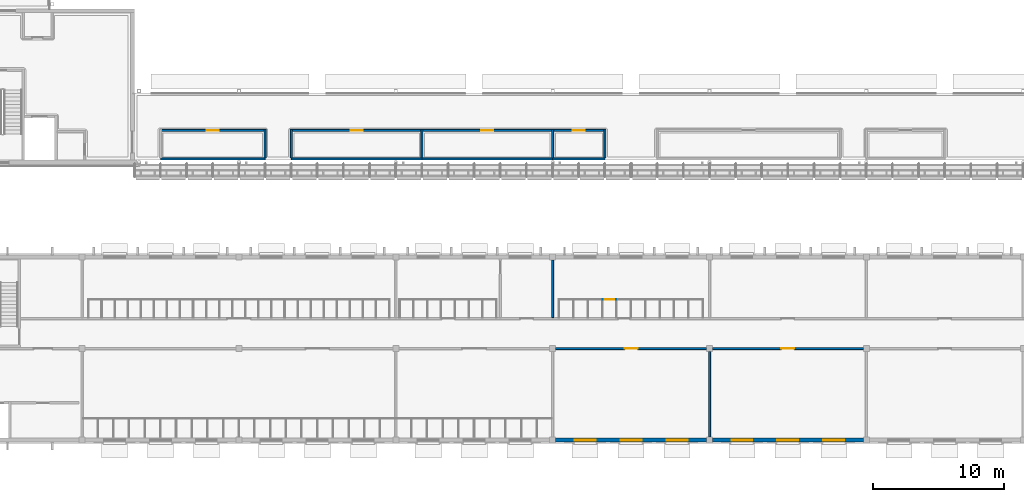
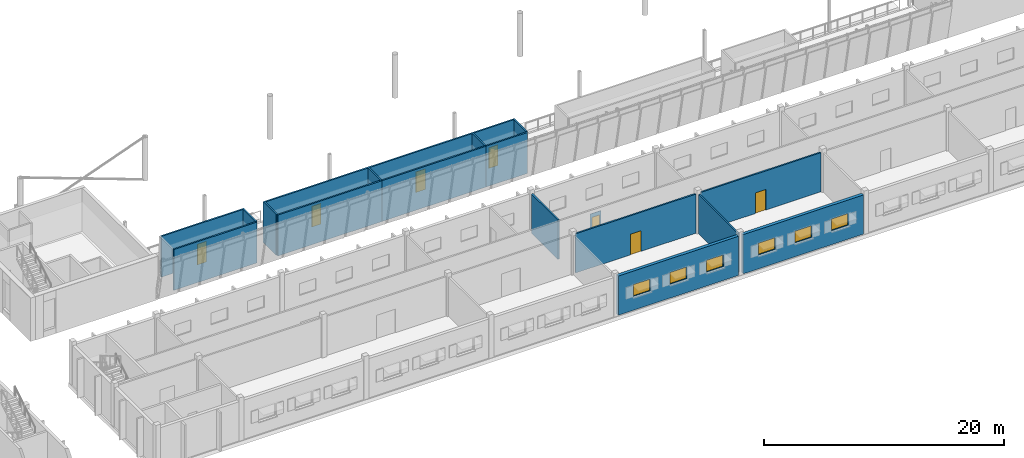
# One storey, part 66 of 115: 20 walls, 7 doors, 6 windows, 13 openings.
"""IFC4 building model written with IfcOpenShell, lengths in metres."""

from ifc_helpers import new_model, si_unit, direction, frame, frame_2d, origin, place, context, subcontext, project, spatial, rectangle, extrude, material, layer, layer_set, type_object, element, fill, save


model = new_model("IFC4")

# Units and contexts
model_context = context("Model", 3, precision=1e-05, world=origin(), true_north=direction((0.0, 1.0)))
body_context = subcontext(model_context, "Body", "Model", "MODEL_VIEW")
ifc_project = project(units=[si_unit("LENGTHUNIT", "METRE"), si_unit("AREAUNIT", "SQUARE_METRE"), si_unit("VOLUMEUNIT", "CUBIC_METRE"), si_unit("PLANEANGLEUNIT", "RADIAN"), si_unit("MASSUNIT", "GRAM", prefix="KILO")], contexts=[model_context])

# Site, building, storey
site_placement = place(None, origin())
site = spatial("IfcSite", under=ifc_project, at=site_placement, CompositionType="ELEMENT")
building_placement = place(site_placement, origin())
building = spatial("IfcBuilding", under=site, at=building_placement, Name="Windward Yard Aquatics Centre", CompositionType="ELEMENT")
storey_placement = place(building_placement, frame((0.0, 0.0, 5.0)))
storey = spatial("IfcBuildingStorey", under=building, at=storey_placement, Name="L01", CompositionType="ELEMENT", Elevation=5.0)

# Wall, opening, door
ifc_material_1 = material(Name="Concrete masonry unit plastered", Category="masonry")
ifc_layer_1 = layer(ifc_material_1, 0.14990234375)
ifc_layer_set_1 = layer_set([ifc_layer_1], Name="C block partition 150")
wall_type_1 = type_object("IfcWallType", Name="C block partition 150", PredefinedType="PARTITIONING", material=ifc_layer_set_1)
wall_1_placement = place(storey_placement, frame((96.22509765625, 12.0, 0.0), z_axis=(0.0, 0.0, 1.0), x_axis=(1.0, 0.0, 0.0)))
wall_1 = element("IfcWall", 1, at=wall_1_placement, inside=storey, type_object=wall_type_1, Name="C.W.L01.SP.S.5", PredefinedType="PARTITIONING", context=body_context, shape_type="SweptSolid", body=[
    extrude(rectangle(XDim=11.5498046875, YDim=0.14990234375, at=frame_2d((5.77490234375, 0.0))), origin(), (0.0, 0.0, 1.0), 3.97998046875),
])
opening_1_placement = place(wall_1_placement, frame((5.27490234375, 0.0, 0.0)))
opening_1 = element("IfcOpeningElement", 2, at=opening_1_placement, cuts=wall_1, Name="Opening C1004", PredefinedType="OPENING", context=body_context, shape_type="SweptSolid", body=[
    extrude(rectangle(XDim=1.0, YDim=2.10009765625, at=frame_2d((0.5, 1.050048828125))), frame((0.0, 0.0849609375, 0.0), z_axis=(0.0, -1.0, 0.0), x_axis=(1.0, 0.0, 0.0)), (0.0, 0.0, 1.0), 0.169921875),
])
ifc_material_2 = material(Name="Timber door leaf in steel frame", Category="steel")
door_type_1 = type_object("IfcDoorType", Name="C door 1000X2100 FD30S", OperationType="SINGLE_SWING_LEFT", PredefinedType="DOOR", material=ifc_material_2)
door_1_placement = place(opening_1_placement, origin())
door_1 = element("IfcDoor", 3, at=door_1_placement, inside=storey, type_object=door_type_1, Name="Door C1004", OperationType="SINGLE_SWING_LEFT", OverallHeight=2.10009765625, OverallWidth=1.0, PredefinedType="DOOR", context=body_context, shape_type="SweptSolid", body=[
    extrude(rectangle(XDim=1.0, YDim=2.10009765625, at=frame_2d((0.5, 1.050048828125))), frame((0.0, 0.02490234375, 0.0), z_axis=(0.0, -1.0, 0.0), x_axis=(1.0, 0.0, 0.0)), (0.0, 0.0, 1.0), 0.050048828125),
])
fill(opening_1, door_1)

wall_2_placement = place(storey_placement, frame((108.22509765625, 12.0, 0.0), z_axis=(0.0, 0.0, 1.0), x_axis=(1.0, 0.0, 0.0)))
wall_2 = element("IfcWall", 4, at=wall_2_placement, inside=storey, type_object=wall_type_1, Name="C.W.L01.SP.S.6", PredefinedType="PARTITIONING", context=body_context, shape_type="SweptSolid", body=[
    extrude(rectangle(XDim=11.5498046875, YDim=0.14990234375, at=frame_2d((5.77490234375, 0.0))), origin(), (0.0, 0.0, 1.0), 3.97998046875),
])
opening_2_placement = place(wall_2_placement, frame((5.27490234375, 0.0, 0.0)))
opening_2 = element("IfcOpeningElement", 5, at=opening_2_placement, cuts=wall_2, Name="Opening C1005", PredefinedType="OPENING", context=body_context, shape_type="SweptSolid", body=[
    extrude(rectangle(XDim=1.0, YDim=2.10009765625, at=frame_2d((0.5, 1.050048828125))), frame((0.0, 0.0849609375, 0.0), z_axis=(0.0, -1.0, 0.0), x_axis=(1.0, 0.0, 0.0)), (0.0, 0.0, 1.0), 0.169921875),
])
door_2_placement = place(opening_2_placement, origin())
door_2 = element("IfcDoor", 6, at=door_2_placement, inside=storey, type_object=door_type_1, Name="Door C1005", OperationType="SINGLE_SWING_LEFT", OverallHeight=2.10009765625, OverallWidth=1.0, PredefinedType="DOOR", context=body_context, shape_type="SweptSolid", body=[
    extrude(rectangle(XDim=1.0, YDim=2.10009765625, at=frame_2d((0.5, 1.050048828125))), frame((0.0, 0.02490234375, 0.0), z_axis=(0.0, -1.0, 0.0), x_axis=(1.0, 0.0, 0.0)), (0.0, 0.0, 1.0), 0.050048828125),
])
fill(opening_2, door_2)

# Walls
wall_3_placement = place(storey_placement, frame((108.0, 5.22509765625, 0.0), z_axis=(0.0, 0.0, 1.0), x_axis=(0.0, 1.0, 0.0)))
element("IfcWall", 7, at=wall_3_placement, inside=storey, type_object=wall_type_1, Name="C.W.L01.SD.56.1", PredefinedType="PARTITIONING", context=body_context, shape_type="SweptSolid", body=[
    extrude(rectangle(XDim=6.5498046875, YDim=0.14990234375, at=frame_2d((3.27490234375, 0.0))), origin(), (0.0, 0.0, 1.0), 3.97998046875),
])
wall_4_placement = place(storey_placement, frame((96.0, 14.375, 0.0), z_axis=(0.0, 0.0, 1.0), x_axis=(0.0, 1.0, 0.0)))
element("IfcWall", 8, at=wall_4_placement, inside=storey, type_object=wall_type_1, Name="C.W.L01.ND.44.1", PredefinedType="PARTITIONING", context=body_context, shape_type="SweptSolid", body=[
    extrude(rectangle(XDim=4.39990234375, YDim=0.14990234375, at=frame_2d((2.199951171875, 0.0))), origin(), (0.0, 0.0, 1.0), 3.97998046875),
])

# Wall, opening, door
ifc_material_3 = material(Name="High-pressure laminate panel on stainless frame")
ifc_layer_2 = layer(ifc_material_3, 0.0400390625)
ifc_layer_set_2 = layer_set([ifc_layer_2], Name="C cubicle panel 40")
wall_type_2 = type_object("IfcWallType", Name="C cubicle panel 40", PredefinedType="PARTITIONING", material=ifc_layer_set_2)
wall_5_placement = place(storey_placement, frame((99.820068359375, 15.77490234375, 0.0), z_axis=(0.0, 0.0, 1.0), x_axis=(1.0, 0.0, 0.0)))
wall_5 = element("IfcWall", 9, at=wall_5_placement, inside=storey, type_object=wall_type_2, Name="C.W.L01.G.F3", PredefinedType="PARTITIONING", context=body_context, shape_type="SweptSolid", body=[
    extrude(rectangle(XDim=1.059814453125, YDim=0.0400390625, at=frame_2d((0.52978515625, 0.0))), origin(), (0.0, 0.0, 1.0), 2.39990234375),
])
opening_3_placement = place(wall_5_placement, frame((0.179931640625, 0.0, 0.0)))
opening_3 = element("IfcOpeningElement", 10, at=opening_3_placement, cuts=wall_5, Name="Opening C1084", PredefinedType="OPENING", context=body_context, shape_type="SweptSolid", body=[
    extrude(rectangle(XDim=0.699951171875, YDim=2.0, at=frame_2d((0.35009765625, 1.0))), frame((0.0, 0.030029296875, 0.0), z_axis=(0.0, -1.0, 0.0), x_axis=(1.0, 0.0, 0.0)), (0.0, 0.0, 1.0), 0.06005859375),
])
ifc_material_4 = material(Name="High-pressure laminate door leaf")
door_type_2 = type_object("IfcDoorType", Name="C door 700X2000 NOT RATED", OperationType="SINGLE_SWING_LEFT", PredefinedType="DOOR", material=ifc_material_4)
door_3_placement = place(opening_3_placement, origin())
door_3 = element("IfcDoor", 11, at=door_3_placement, inside=storey, type_object=door_type_2, Name="Cubicle door G4", OperationType="SINGLE_SWING_LEFT", OverallHeight=2.0, OverallWidth=0.699951171875, PredefinedType="DOOR", context=body_context, shape_type="SweptSolid", body=[
    extrude(rectangle(XDim=0.699951171875, YDim=2.0, at=frame_2d((0.35009765625, 1.0))), frame((0.0, 0.019775390625, 0.0), z_axis=(0.0, -1.0, 0.0), x_axis=(1.0, 0.0, 0.0)), (0.0, 0.0, 1.0), 0.03955078125),
])
fill(opening_3, door_3)

# Wall, openings, windows
ifc_material_5 = material(Name="Natural stone cladding", Category="masonry")
ifc_layer_3 = layer(ifc_material_5, 0.04, Name="Cladding")
ifc_material_6 = material(Name="Ventilated air cavity")
ifc_layer_4 = layer(ifc_material_6, 0.04, ventilated=True, Name="Ventilated cavity")
ifc_material_7 = material(Name="Mineral wool insulation")
ifc_layer_5 = layer(ifc_material_7, 0.06, Name="Insulation")
ifc_material_8 = material(Name="Concrete C35/45", Category="concrete")
ifc_layer_6 = layer(ifc_material_8, 0.16, Name="Structure")
ifc_layer_set_3 = layer_set([ifc_layer_3, ifc_layer_4, ifc_layer_5, ifc_layer_6], Name="C stone-faced external wall 300")
wall_type_3 = type_object("IfcWallType", Name="C stone-faced external wall 300", PredefinedType="ELEMENTEDWALL", material=ifc_layer_set_3)
wall_6_placement = place(storey_placement, frame((96.22509765625, 5.0, 0.0), z_axis=(0.0, 0.0, 1.0), x_axis=(1.0, 0.0, 0.0)))
wall_6 = element("IfcWall", 12, at=wall_6_placement, inside=storey, type_object=wall_type_3, Name="C.W.L01.S5", PredefinedType="ELEMENTEDWALL", context=body_context, shape_type="SweptSolid", body=[
    extrude(rectangle(XDim=11.5498046875, YDim=0.300048828125, at=frame_2d((5.77490234375, 0.0))), origin(), (0.0, 0.0, 1.0), 3.97998046875),
])
opening_4_placement = place(wall_6_placement, frame((1.458251953125, 0.0, 1.39990234375)))
opening_4 = element("IfcOpeningElement", 13, at=opening_4_placement, cuts=wall_6, Name="Opening CW1010", PredefinedType="OPENING", context=body_context, shape_type="SweptSolid", body=[
    extrude(rectangle(XDim=1.60009765625, YDim=1.199951171875, at=frame_2d((0.800048828125, 0.60009765625))), frame((0.0, 0.16015625, 0.0), z_axis=(0.0, -1.0, 0.0), x_axis=(1.0, 0.0, 0.0)), (0.0, 0.0, 1.0), 0.320068359375),
])
opening_5_placement = place(wall_6_placement, frame((4.97509765625, 0.0, 1.39990234375)))
opening_5 = element("IfcOpeningElement", 14, at=opening_5_placement, cuts=wall_6, Name="Opening CW1011", PredefinedType="OPENING", context=body_context, shape_type="SweptSolid", body=[
    extrude(rectangle(XDim=1.60009765625, YDim=1.199951171875, at=frame_2d((0.800048828125, 0.60009765625))), frame((0.0, 0.16015625, 0.0), z_axis=(0.0, -1.0, 0.0), x_axis=(1.0, 0.0, 0.0)), (0.0, 0.0, 1.0), 0.320068359375),
])
opening_6_placement = place(wall_6_placement, frame((8.49169921875, 0.0, 1.39990234375)))
opening_6 = element("IfcOpeningElement", 15, at=opening_6_placement, cuts=wall_6, Name="Opening CW1012", PredefinedType="OPENING", context=body_context, shape_type="SweptSolid", body=[
    extrude(rectangle(XDim=1.60009765625, YDim=1.199951171875, at=frame_2d((0.800048828125, 0.60009765625))), frame((0.0, 0.16015625, 0.0), z_axis=(0.0, -1.0, 0.0), x_axis=(1.0, 0.0, 0.0)), (0.0, 0.0, 1.0), 0.320068359375),
])
ifc_material_9 = material(Name="Aluminium framed double glazing", Category="aluminium")
window_type = type_object("IfcWindowType", Name="C window 1600X1200", PartitioningType="SINGLE_PANEL", PredefinedType="WINDOW", material=ifc_material_9)
window_1_placement = place(opening_4_placement, origin())
window_1 = element("IfcWindow", 16, at=window_1_placement, inside=storey, type_object=window_type, Name="Window CW1010", OverallHeight=1.199951171875, OverallWidth=1.60009765625, PartitioningType="SINGLE_PANEL", PredefinedType="WINDOW", context=body_context, shape_type="SweptSolid", body=[
    extrude(rectangle(XDim=1.60009765625, YDim=1.199951171875, at=frame_2d((0.800048828125, 0.60009765625))), frame((0.0, 0.030029296875, 0.0), z_axis=(0.0, -1.0, 0.0), x_axis=(1.0, 0.0, 0.0)), (0.0, 0.0, 1.0), 0.06005859375),
])
fill(opening_4, window_1)
window_2_placement = place(opening_5_placement, origin())
window_2 = element("IfcWindow", 17, at=window_2_placement, inside=storey, type_object=window_type, Name="Window CW1011", OverallHeight=1.199951171875, OverallWidth=1.60009765625, PartitioningType="SINGLE_PANEL", PredefinedType="WINDOW", context=body_context, shape_type="SweptSolid", body=[
    extrude(rectangle(XDim=1.60009765625, YDim=1.199951171875, at=frame_2d((0.800048828125, 0.60009765625))), frame((0.0, 0.030029296875, 0.0), z_axis=(0.0, -1.0, 0.0), x_axis=(1.0, 0.0, 0.0)), (0.0, 0.0, 1.0), 0.06005859375),
])
fill(opening_5, window_2)
window_3_placement = place(opening_6_placement, origin())
window_3 = element("IfcWindow", 18, at=window_3_placement, inside=storey, type_object=window_type, Name="Window CW1012", OverallHeight=1.199951171875, OverallWidth=1.60009765625, PartitioningType="SINGLE_PANEL", PredefinedType="WINDOW", context=body_context, shape_type="SweptSolid", body=[
    extrude(rectangle(XDim=1.60009765625, YDim=1.199951171875, at=frame_2d((0.800048828125, 0.60009765625))), frame((0.0, 0.030029296875, 0.0), z_axis=(0.0, -1.0, 0.0), x_axis=(1.0, 0.0, 0.0)), (0.0, 0.0, 1.0), 0.06005859375),
])
fill(opening_6, window_3)

wall_7_placement = place(storey_placement, frame((108.22509765625, 5.0, 0.0), z_axis=(0.0, 0.0, 1.0), x_axis=(1.0, 0.0, 0.0)))
wall_7 = element("IfcWall", 19, at=wall_7_placement, inside=storey, type_object=wall_type_3, Name="C.W.L01.S6", PredefinedType="ELEMENTEDWALL", context=body_context, shape_type="SweptSolid", body=[
    extrude(rectangle(XDim=11.5498046875, YDim=0.300048828125, at=frame_2d((5.77490234375, 0.0))), origin(), (0.0, 0.0, 1.0), 3.97998046875),
])
opening_7_placement = place(wall_7_placement, frame((1.458251953125, 0.0, 1.39990234375)))
opening_7 = element("IfcOpeningElement", 20, at=opening_7_placement, cuts=wall_7, Name="Opening CW1013", PredefinedType="OPENING", context=body_context, shape_type="SweptSolid", body=[
    extrude(rectangle(XDim=1.60009765625, YDim=1.199951171875, at=frame_2d((0.800048828125, 0.60009765625))), frame((0.0, 0.16015625, 0.0), z_axis=(0.0, -1.0, 0.0), x_axis=(1.0, 0.0, 0.0)), (0.0, 0.0, 1.0), 0.320068359375),
])
opening_8_placement = place(wall_7_placement, frame((4.97509765625, 0.0, 1.39990234375)))
opening_8 = element("IfcOpeningElement", 21, at=opening_8_placement, cuts=wall_7, Name="Opening CW1014", PredefinedType="OPENING", context=body_context, shape_type="SweptSolid", body=[
    extrude(rectangle(XDim=1.60009765625, YDim=1.199951171875, at=frame_2d((0.800048828125, 0.60009765625))), frame((0.0, 0.16015625, 0.0), z_axis=(0.0, -1.0, 0.0), x_axis=(1.0, 0.0, 0.0)), (0.0, 0.0, 1.0), 0.320068359375),
])
opening_9_placement = place(wall_7_placement, frame((8.49169921875, 0.0, 1.39990234375)))
opening_9 = element("IfcOpeningElement", 22, at=opening_9_placement, cuts=wall_7, Name="Opening CW1015", PredefinedType="OPENING", context=body_context, shape_type="SweptSolid", body=[
    extrude(rectangle(XDim=1.60009765625, YDim=1.199951171875, at=frame_2d((0.800048828125, 0.60009765625))), frame((0.0, 0.16015625, 0.0), z_axis=(0.0, -1.0, 0.0), x_axis=(1.0, 0.0, 0.0)), (0.0, 0.0, 1.0), 0.320068359375),
])
window_4_placement = place(opening_7_placement, origin())
window_4 = element("IfcWindow", 23, at=window_4_placement, inside=storey, type_object=window_type, Name="Window CW1013", OverallHeight=1.199951171875, OverallWidth=1.60009765625, PartitioningType="SINGLE_PANEL", PredefinedType="WINDOW", context=body_context, shape_type="SweptSolid", body=[
    extrude(rectangle(XDim=1.60009765625, YDim=1.199951171875, at=frame_2d((0.800048828125, 0.60009765625))), frame((0.0, 0.030029296875, 0.0), z_axis=(0.0, -1.0, 0.0), x_axis=(1.0, 0.0, 0.0)), (0.0, 0.0, 1.0), 0.06005859375),
])
fill(opening_7, window_4)
window_5_placement = place(opening_8_placement, origin())
window_5 = element("IfcWindow", 24, at=window_5_placement, inside=storey, type_object=window_type, Name="Window CW1014", OverallHeight=1.199951171875, OverallWidth=1.60009765625, PartitioningType="SINGLE_PANEL", PredefinedType="WINDOW", context=body_context, shape_type="SweptSolid", body=[
    extrude(rectangle(XDim=1.60009765625, YDim=1.199951171875, at=frame_2d((0.800048828125, 0.60009765625))), frame((0.0, 0.030029296875, 0.0), z_axis=(0.0, -1.0, 0.0), x_axis=(1.0, 0.0, 0.0)), (0.0, 0.0, 1.0), 0.06005859375),
])
fill(opening_8, window_5)
window_6_placement = place(opening_9_placement, origin())
window_6 = element("IfcWindow", 25, at=window_6_placement, inside=storey, type_object=window_type, Name="Window CW1015", OverallHeight=1.199951171875, OverallWidth=1.60009765625, PartitioningType="SINGLE_PANEL", PredefinedType="WINDOW", context=body_context, shape_type="SweptSolid", body=[
    extrude(rectangle(XDim=1.60009765625, YDim=1.199951171875, at=frame_2d((0.800048828125, 0.60009765625))), frame((0.0, 0.030029296875, 0.0), z_axis=(0.0, -1.0, 0.0), x_axis=(1.0, 0.0, 0.0)), (0.0, 0.0, 1.0), 0.06005859375),
])
fill(opening_9, window_6)

# Wall, opening, door
ifc_material_10 = material(Name="Blockwork 150 mm", Category="masonry")
ifc_layer_7 = layer(ifc_material_10, 0.14990234375)
ifc_layer_set_4 = layer_set([ifc_layer_7], Name="H Partition Blockwork 150")
wall_type_4 = type_object("IfcWallType", Name="H Partition Blockwork 150", PredefinedType="PARTITIONING", material=ifc_layer_set_4)
wall_8_placement = place(storey_placement, frame((66.074951171875, 28.699951171875, 0.0), z_axis=(0.0, 0.0, 1.0), x_axis=(1.0, 0.0, 0.0)))
wall_8 = element("IfcWall", 26, at=wall_8_placement, inside=storey, type_object=wall_type_4, Name="L01 partition Kiosk", PredefinedType="PARTITIONING", context=body_context, shape_type="SweptSolid", body=[
    extrude(rectangle(XDim=7.85009765625, YDim=0.14990234375, at=frame_2d((3.925048828125, 0.0))), origin(), (0.0, 0.0, 1.0), 4.14990234375),
])
opening_10_placement = place(wall_8_placement, frame((3.47509765625, 0.0, 0.0)))
opening_10 = element("IfcOpeningElement", 27, at=opening_10_placement, cuts=wall_8, Name="Opening H1025", PredefinedType="OPENING", context=body_context, shape_type="SweptSolid", body=[
    extrude(rectangle(XDim=0.89990234375, YDim=2.10009765625, at=frame_2d((0.449951171875, 1.050048828125))), frame((0.0, 0.0849609375, 0.0), z_axis=(0.0, -1.0, 0.0), x_axis=(1.0, 0.0, 0.0)), (0.0, 0.0, 1.0), 0.169921875),
])
ifc_material_11 = material(Name="Timber door leaf", Category="wood")
door_type_3 = type_object("IfcDoorType", Name="H Door Single 900 x 2100 Not rated", OperationType="NOTDEFINED", PredefinedType="DOOR", material=ifc_material_11)
door_4_placement = place(opening_10_placement, origin())
door_4 = element("IfcDoor", 28, at=door_4_placement, inside=storey, type_object=door_type_3, Name="L01 Kiosk door", OperationType="SINGLE_SWING_LEFT", OverallHeight=2.10009765625, OverallWidth=0.89990234375, PredefinedType="DOOR", context=body_context, shape_type="SweptSolid", body=[
    extrude(rectangle(XDim=0.89990234375, YDim=2.10009765625, at=frame_2d((0.449951171875, 1.050048828125))), frame((0.0, 0.02490234375, 0.0), z_axis=(0.0, -1.0, 0.0), x_axis=(1.0, 0.0, 0.0)), (0.0, 0.0, 1.0), 0.050048828125),
])
fill(opening_10, door_4)

# Walls
wall_9_placement = place(storey_placement, frame((74.0, 26.60009765625, 0.0), z_axis=(0.0, 0.0, 1.0), x_axis=(0.0, 1.0, 0.0)))
element("IfcWall", 29, at=wall_9_placement, inside=storey, type_object=wall_type_4, Name="L01 partition Kiosk", PredefinedType="PARTITIONING", context=body_context, shape_type="SweptSolid", body=[
    extrude(rectangle(XDim=2.1748046875, YDim=0.14990234375, at=frame_2d((1.08740234375, 0.0))), origin(), (0.0, 0.0, 1.0), 4.14990234375),
])
wall_10_placement = place(storey_placement, frame((66.0, 26.52490234375, 0.0), z_axis=(0.0, 0.0, 1.0), x_axis=(1.0, 0.0, 0.0)))
element("IfcWall", 30, at=wall_10_placement, inside=storey, type_object=wall_type_4, Name="L01 wall Kiosk", PredefinedType="PARTITIONING", context=body_context, shape_type="SweptSolid", body=[
    extrude(rectangle(XDim=8.0, YDim=0.14990234375, at=frame_2d((4.0, 0.0))), origin(), (0.0, 0.0, 1.0), 4.14990234375),
])

# Wall, opening, door
wall_11_placement = place(storey_placement, frame((76.074951171875, 28.699951171875, 0.0), z_axis=(0.0, 0.0, 1.0), x_axis=(1.0, 0.0, 0.0)))
wall_11 = element("IfcWall", 31, at=wall_11_placement, inside=storey, type_object=wall_type_4, Name="L01 partition Spectator WC Men", PredefinedType="PARTITIONING", context=body_context, shape_type="SweptSolid", body=[
    extrude(rectangle(XDim=9.85009765625, YDim=0.14990234375, at=frame_2d((4.925048828125, 0.0))), origin(), (0.0, 0.0, 1.0), 4.14990234375),
])
opening_11_placement = place(wall_11_placement, frame((4.47509765625, 0.0, 0.0)))
opening_11 = element("IfcOpeningElement", 32, at=opening_11_placement, cuts=wall_11, Name="Opening H1026", PredefinedType="OPENING", context=body_context, shape_type="SweptSolid", body=[
    extrude(rectangle(XDim=0.89990234375, YDim=2.10009765625, at=frame_2d((0.449951171875, 1.050048828125))), frame((0.0, 0.0849609375, 0.0), z_axis=(0.0, -1.0, 0.0), x_axis=(1.0, 0.0, 0.0)), (0.0, 0.0, 1.0), 0.169921875),
])
door_5_placement = place(opening_11_placement, origin())
door_5 = element("IfcDoor", 33, at=door_5_placement, inside=storey, type_object=door_type_3, Name="L01 Spectator WC Men door", OperationType="SINGLE_SWING_RIGHT", OverallHeight=2.10009765625, OverallWidth=0.89990234375, PredefinedType="DOOR", context=body_context, shape_type="SweptSolid", body=[
    extrude(rectangle(XDim=0.89990234375, YDim=2.10009765625, at=frame_2d((0.449951171875, 1.050048828125))), frame((0.0, 0.02490234375, 0.0), z_axis=(0.0, -1.0, 0.0), x_axis=(1.0, 0.0, 0.0)), (0.0, 0.0, 1.0), 0.050048828125),
])
fill(opening_11, door_5)

# Walls
for number, where, z_axis, x_axis, name in (
    (34, (76.0, 26.60009765625, 0.0), (0.0, 0.0, 1.0), (0.0, 1.0, 0.0), "L01 partition Spectator WC Men"),
    (35, (86.0, 26.60009765625, 0.0), (0.0, 0.0, 1.0), (0.0, 1.0, 0.0), "L01 partition Spectator WC Men"),
):
    element("IfcWall", number, at=place(storey_placement, frame(where, z_axis=z_axis, x_axis=x_axis)), inside=storey, type_object=wall_type_4, Name=name, PredefinedType="PARTITIONING", context=body_context, shape_type="SweptSolid", body=[
        extrude(rectangle(XDim=2.1748046875, YDim=0.14990234375, at=frame_2d((1.08740234375, 0.0))), origin(), (0.0, 0.0, 1.0), 4.14990234375),
    ])
wall_12_placement = place(storey_placement, frame((76.0, 26.52490234375, 0.0), z_axis=(0.0, 0.0, 1.0), x_axis=(1.0, 0.0, 0.0)))
element("IfcWall", 36, at=wall_12_placement, inside=storey, type_object=wall_type_4, Name="L01 wall Spectator WC Men", PredefinedType="PARTITIONING", context=body_context, shape_type="SweptSolid", body=[
    extrude(rectangle(XDim=10.0, YDim=0.14990234375, at=frame_2d((5.0, 0.0))), origin(), (0.0, 0.0, 1.0), 4.14990234375),
])

# Wall, opening, door
wall_13_placement = place(storey_placement, frame((86.074951171875, 28.699951171875, 0.0), z_axis=(0.0, 0.0, 1.0), x_axis=(1.0, 0.0, 0.0)))
wall_13 = element("IfcWall", 37, at=wall_13_placement, inside=storey, type_object=wall_type_4, Name="L01 partition Spectator WC Women", PredefinedType="PARTITIONING", context=body_context, shape_type="SweptSolid", body=[
    extrude(rectangle(XDim=9.85009765625, YDim=0.14990234375, at=frame_2d((4.925048828125, 0.0))), origin(), (0.0, 0.0, 1.0), 4.14990234375),
])
opening_12_placement = place(wall_13_placement, frame((4.47509765625, 0.0, 0.0)))
opening_12 = element("IfcOpeningElement", 38, at=opening_12_placement, cuts=wall_13, Name="Opening H1027", PredefinedType="OPENING", context=body_context, shape_type="SweptSolid", body=[
    extrude(rectangle(XDim=0.89990234375, YDim=2.10009765625, at=frame_2d((0.449951171875, 1.050048828125))), frame((0.0, 0.0849609375, 0.0), z_axis=(0.0, -1.0, 0.0), x_axis=(1.0, 0.0, 0.0)), (0.0, 0.0, 1.0), 0.169921875),
])
door_6_placement = place(opening_12_placement, origin())
door_6 = element("IfcDoor", 39, at=door_6_placement, inside=storey, type_object=door_type_3, Name="L01 Spectator WC Women door", OperationType="SINGLE_SWING_LEFT", OverallHeight=2.10009765625, OverallWidth=0.89990234375, PredefinedType="DOOR", context=body_context, shape_type="SweptSolid", body=[
    extrude(rectangle(XDim=0.89990234375, YDim=2.10009765625, at=frame_2d((0.449951171875, 1.050048828125))), frame((0.0, 0.02490234375, 0.0), z_axis=(0.0, -1.0, 0.0), x_axis=(1.0, 0.0, 0.0)), (0.0, 0.0, 1.0), 0.050048828125),
])
fill(opening_12, door_6)

# Walls
wall_14_placement = place(storey_placement, frame((96.0, 26.60009765625, 0.0), z_axis=(0.0, 0.0, 1.0), x_axis=(0.0, 1.0, 0.0)))
element("IfcWall", 40, at=wall_14_placement, inside=storey, type_object=wall_type_4, Name="L01 partition Spectator WC Women", PredefinedType="PARTITIONING", context=body_context, shape_type="SweptSolid", body=[
    extrude(rectangle(XDim=2.1748046875, YDim=0.14990234375, at=frame_2d((1.08740234375, 0.0))), origin(), (0.0, 0.0, 1.0), 4.14990234375),
])
wall_15_placement = place(storey_placement, frame((86.0, 26.52490234375, 0.0), z_axis=(0.0, 0.0, 1.0), x_axis=(1.0, 0.0, 0.0)))
element("IfcWall", 41, at=wall_15_placement, inside=storey, type_object=wall_type_4, Name="L01 wall Spectator WC Women", PredefinedType="PARTITIONING", context=body_context, shape_type="SweptSolid", body=[
    extrude(rectangle(XDim=10.0, YDim=0.14990234375, at=frame_2d((5.0, 0.0))), origin(), (0.0, 0.0, 1.0), 4.14990234375),
])

# Wall, opening, door
wall_16_placement = place(storey_placement, frame((96.074951171875, 28.699951171875, 0.0), z_axis=(0.0, 0.0, 1.0), x_axis=(1.0, 0.0, 0.0)))
wall_16 = element("IfcWall", 42, at=wall_16_placement, inside=storey, type_object=wall_type_4, Name="L01 partition Accessible WC", PredefinedType="PARTITIONING", context=body_context, shape_type="SweptSolid", body=[
    extrude(rectangle(XDim=3.85009765625, YDim=0.14990234375, at=frame_2d((1.925048828125, 0.0))), origin(), (0.0, 0.0, 1.0), 4.14990234375),
])
opening_13_placement = place(wall_16_placement, frame((1.47509765625, 0.0, 0.0)))
opening_13 = element("IfcOpeningElement", 43, at=opening_13_placement, cuts=wall_16, Name="Opening H1028", PredefinedType="OPENING", context=body_context, shape_type="SweptSolid", body=[
    extrude(rectangle(XDim=0.89990234375, YDim=2.10009765625, at=frame_2d((0.449951171875, 1.050048828125))), frame((0.0, 0.0849609375, 0.0), z_axis=(0.0, -1.0, 0.0), x_axis=(1.0, 0.0, 0.0)), (0.0, 0.0, 1.0), 0.169921875),
])
door_7_placement = place(opening_13_placement, origin())
door_7 = element("IfcDoor", 44, at=door_7_placement, inside=storey, type_object=door_type_3, Name="L01 Accessible WC door", OperationType="SINGLE_SWING_RIGHT", OverallHeight=2.10009765625, OverallWidth=0.89990234375, PredefinedType="DOOR", context=body_context, shape_type="SweptSolid", body=[
    extrude(rectangle(XDim=0.89990234375, YDim=2.10009765625, at=frame_2d((0.449951171875, 1.050048828125))), frame((0.0, 0.02490234375, 0.0), z_axis=(0.0, -1.0, 0.0), x_axis=(1.0, 0.0, 0.0)), (0.0, 0.0, 1.0), 0.050048828125),
])
fill(opening_13, door_7)

# Walls
wall_17_placement = place(storey_placement, frame((100.0, 26.60009765625, 0.0), z_axis=(0.0, 0.0, 1.0), x_axis=(0.0, 1.0, 0.0)))
element("IfcWall", 45, at=wall_17_placement, inside=storey, type_object=wall_type_4, Name="L01 partition Accessible WC", PredefinedType="PARTITIONING", context=body_context, shape_type="SweptSolid", body=[
    extrude(rectangle(XDim=2.1748046875, YDim=0.14990234375, at=frame_2d((1.08740234375, 0.0))), origin(), (0.0, 0.0, 1.0), 4.14990234375),
])
wall_18_placement = place(storey_placement, frame((96.0, 26.52490234375, 0.0), z_axis=(0.0, 0.0, 1.0), x_axis=(1.0, 0.0, 0.0)))
element("IfcWall", 46, at=wall_18_placement, inside=storey, type_object=wall_type_4, Name="L01 wall Accessible WC", PredefinedType="PARTITIONING", context=body_context, shape_type="SweptSolid", body=[
    extrude(rectangle(XDim=4.0, YDim=0.14990234375, at=frame_2d((2.0, 0.0))), origin(), (0.0, 0.0, 1.0), 4.14990234375),
])

save(model, "model.ifc")
